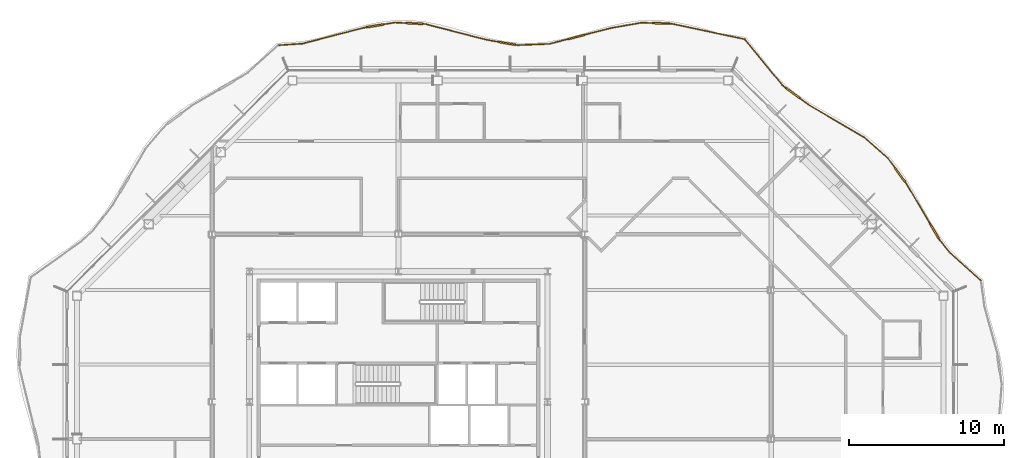
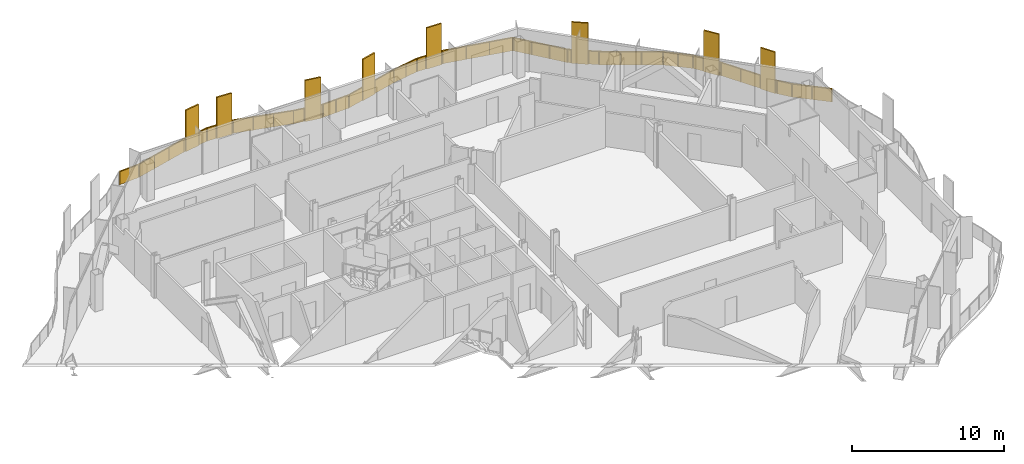
# One storey, part 19 of 19: 2 railings.
"""IFC4 building model written with IfcOpenShell, lengths in metres."""

from ifc_helpers import new_model, si_unit, direction, frame, origin, origin_2d, place, context, subcontext, project, spatial, polyline, rectangle, outline, extrude, material, type_object, element, save


model = new_model("IFC4")

# Units and contexts
model_context = context("Model", 3, precision=1e-05, world=origin(), true_north=direction((0.0, 1.0)))
body_context = subcontext(model_context, "Body", "Model", "MODEL_VIEW")
ifc_project = project(units=[si_unit("LENGTHUNIT", "METRE"), si_unit("AREAUNIT", "SQUARE_METRE"), si_unit("VOLUMEUNIT", "CUBIC_METRE"), si_unit("PLANEANGLEUNIT", "RADIAN"), si_unit("MASSUNIT", "GRAM", prefix="KILO")], contexts=[model_context])

# Site, building, storey
site_placement = place(None, origin())
site = spatial("IfcSite", under=ifc_project, at=site_placement, CompositionType="ELEMENT")
building_placement = place(site_placement, origin())
building = spatial("IfcBuilding", under=site, at=building_placement, Name="Cairn Pilgrim Tower", CompositionType="ELEMENT")
storey_placement = place(building_placement, frame((0.0, 0.0, 201.0)))
storey = spatial("IfcBuildingStorey", under=building, at=storey_placement, Name="L51", CompositionType="ELEMENT", Elevation=201.0)

# Railings
ifc_material = material(Name="Bronze anodised aluminium rail, posts and fin screens with laminated glass infill", Category="aluminium")
railing_type = type_object("IfcRailingType", Name="BALCONY GUARD WITH FIN SCREENS", PredefinedType="GUARDRAIL", material=ifc_material)
railing_1_placement = place(storey_placement, frame((44.707763671875, 10.208984375, 0.0)))
element("IfcRailing", 1, at=railing_1_placement, inside=storey, type_object=railing_type, Name="Balcony guard BGF-4 with fin screens", PredefinedType="GUARDRAIL", context=body_context, shape_type="SweptSolid", body=[
    extrude(rectangle(XDim=0.050048828125, YDim=0.050048828125, at=origin_2d()), frame((0.0, 0.0, 1.0751953125), z_axis=(-0.742527958489, 0.669815072138, 0.0), x_axis=(-0.669815072138, -0.742527958489, 0.0)), (0.0, 0.0, 1.0), 2.679443359375),
    extrude(rectangle(XDim=0.050048828125, YDim=0.050048828125, at=origin_2d()), frame((-1.989501953125, 1.794677734375, 1.0751953125), z_axis=(-0.631584660383, 0.775306917788, 0.0), x_axis=(-0.775306917788, -0.631584660383, 0.0)), (0.0, 0.0, 1.0), 1.04638671875),
    extrude(rectangle(XDim=1.10009765625, YDim=0.110107421875, at=origin_2d()), frame((-3.005859375, 3.208984375, 0.0), z_axis=(0.0, 0.0, 1.0), x_axis=(-0.507932070503, 0.861397127784, 0.0)), (0.0, 0.0, 1.0), 3.300048828125),
    extrude(rectangle(XDim=0.050048828125, YDim=0.050048828125, at=origin_2d()), frame((-2.650390625, 2.60595703125, 1.0751953125), z_axis=(-0.507932070503, 0.861397127784, 0.0), x_axis=(-0.861397127784, -0.507932070503, 0.0)), (0.0, 0.0, 1.0), 0.150146484375),
    extrude(rectangle(XDim=0.050048828125, YDim=0.050048828125, at=origin_2d()), frame((-3.285400390625, 3.6826171875, 1.0751953125), z_axis=(-0.507932070503, 0.861397127784, 0.0), x_axis=(-0.861397127784, -0.507932070503, 0.0)), (0.0, 0.0, 1.0), 2.96044921875),
    extrude(rectangle(XDim=1.10009765625, YDim=0.110107421875, at=origin_2d()), frame((-5.20068359375, 6.79931640625, 0.0), z_axis=(0.0, 0.0, 1.0), x_axis=(-0.587858294843, 0.808963920817, 0.0)), (0.0, 0.0, 1.0), 3.300048828125),
    extrude(rectangle(XDim=0.050048828125, YDim=0.050048828125, at=origin_2d()), frame((-4.7890625, 6.23291015625, 1.0751953125), z_axis=(-0.587858294843, 0.808963920817, 0.0), x_axis=(-0.808963920817, -0.587858294843, 0.0)), (0.0, 0.0, 1.0), 0.150146484375),
    extrude(rectangle(XDim=0.050048828125, YDim=0.050048828125, at=origin_2d()), frame((-5.52392578125, 7.244140625, 1.0751953125), z_axis=(-0.587858294843, 0.808963920817, 0.0), x_axis=(-0.808963920817, -0.587858294843, 0.0)), (0.0, 0.0, 1.0), 0.788330078125),
    extrude(rectangle(XDim=0.050048828125, YDim=0.050048828125, at=origin_2d()), frame((-5.9873046875, 7.8818359375, 1.0751953125), z_axis=(-0.748929293895, 0.662649917185, 0.0), x_axis=(-0.662649917185, -0.748929293895, 0.0)), (0.0, 0.0, 1.0), 2.009033203125),
    extrude(rectangle(XDim=0.050048828125, YDim=0.050048828125, at=origin_2d()), frame((-7.491943359375, 9.213134765625, 1.0751953125), z_axis=(-0.862706708707, 0.505704592378, 0.0), x_axis=(-0.505704592378, -0.862706708707, 0.0)), (0.0, 0.0, 1.0), 4.203125),
    extrude(rectangle(XDim=1.10009765625, YDim=0.110107421875, at=origin_2d()), frame((-12.1171875, 12.0859375, 0.0), z_axis=(0.0, 0.0, 1.0), x_axis=(-0.800870533458, 0.598837531087, 0.0)), (0.0, 0.0, 1.0), 3.300048828125),
    extrude(rectangle(XDim=0.050048828125, YDim=0.050048828125, at=origin_2d()), frame((-11.117919921875, 11.338623046875, 1.0751953125), z_axis=(-0.800870533458, 0.598837531087, 0.0), x_axis=(-0.598837531087, -0.800870533458, 0.0)), (0.0, 0.0, 1.0), 0.69775390625),
    extrude(rectangle(XDim=0.050048828125, YDim=0.050048828125, at=origin_2d()), frame((-12.5576171875, 12.415283203125, 1.0751953125), z_axis=(-0.800870533458, 0.598837531087, 0.0), x_axis=(-0.598837531087, -0.800870533458, 0.0)), (0.0, 0.0, 1.0), 0.28662109375),
    extrude(rectangle(XDim=0.050048828125, YDim=0.050048828125, at=origin_2d()), frame((-12.787353515625, 12.5869140625, 1.0751953125), z_axis=(-0.6329833694, 0.774165391931, 0.0), x_axis=(-0.774165391931, -0.6329833694, 0.0)), (0.0, 0.0, 1.0), 3.762939453125),
    extrude(rectangle(XDim=0.050048828125, YDim=0.050048828125, at=origin_2d()), origin(), (0.0, 0.0, 1.0), 1.050048828125),
    extrude(rectangle(XDim=0.050048828125, YDim=0.050048828125, at=origin_2d()), frame((-0.99462890625, 0.8974609375, 0.0)), (0.0, 0.0, 1.0), 1.050048828125),
    extrude(rectangle(XDim=0.050048828125, YDim=0.050048828125, at=origin_2d()), frame((-1.989501953125, 1.794677734375, 0.0)), (0.0, 0.0, 1.0), 1.050048828125),
    extrude(rectangle(XDim=0.050048828125, YDim=0.050048828125, at=origin_2d()), frame((-2.650390625, 2.60595703125, 0.0)), (0.0, 0.0, 1.0), 1.050048828125),
    extrude(rectangle(XDim=0.050048828125, YDim=0.050048828125, at=origin_2d()), frame((-2.7138671875, 2.713623046875, 0.0)), (0.0, 0.0, 1.0), 1.050048828125),
    extrude(rectangle(XDim=0.050048828125, YDim=0.050048828125, at=origin_2d()), frame((-3.298095703125, 3.704345703125, 0.0)), (0.0, 0.0, 1.0), 1.050048828125),
    extrude(rectangle(XDim=0.050048828125, YDim=0.050048828125, at=origin_2d()), frame((-4.04345703125, 4.968505859375, 0.0)), (0.0, 0.0, 1.0), 1.050048828125),
    extrude(rectangle(XDim=0.050048828125, YDim=0.050048828125, at=origin_2d()), frame((-4.7890625, 6.23291015625, 0.0)), (0.0, 0.0, 1.0), 1.050048828125),
    extrude(rectangle(XDim=0.050048828125, YDim=0.050048828125, at=origin_2d()), frame((-4.862548828125, 6.333984375, 0.0)), (0.0, 0.0, 1.0), 1.050048828125),
    extrude(rectangle(XDim=0.050048828125, YDim=0.050048828125, at=origin_2d()), frame((-5.53857421875, 7.264404296875, 0.0)), (0.0, 0.0, 1.0), 1.050048828125),
    extrude(rectangle(XDim=0.050048828125, YDim=0.050048828125, at=origin_2d()), frame((-5.9873046875, 7.8818359375, 0.0)), (0.0, 0.0, 1.0), 1.050048828125),
    extrude(rectangle(XDim=0.050048828125, YDim=0.050048828125, at=origin_2d()), frame((-6.73974609375, 8.54736328125, 0.0)), (0.0, 0.0, 1.0), 1.050048828125),
    extrude(rectangle(XDim=0.050048828125, YDim=0.050048828125, at=origin_2d()), frame((-7.491943359375, 9.213134765625, 0.0)), (0.0, 0.0, 1.0), 1.050048828125),
    extrude(rectangle(XDim=0.050048828125, YDim=0.050048828125, at=origin_2d()), frame((-8.70068359375, 9.921630859375, 0.0)), (0.0, 0.0, 1.0), 1.050048828125),
    extrude(rectangle(XDim=0.050048828125, YDim=0.050048828125, at=origin_2d()), frame((-9.9091796875, 10.630126953125, 0.0)), (0.0, 0.0, 1.0), 1.050048828125),
    extrude(rectangle(XDim=0.050048828125, YDim=0.050048828125, at=origin_2d()), frame((-11.117919921875, 11.338623046875, 0.0)), (0.0, 0.0, 1.0), 1.050048828125),
    extrude(rectangle(XDim=0.050048828125, YDim=0.050048828125, at=origin_2d()), frame((-11.65673828125, 11.741455078125, 0.0)), (0.0, 0.0, 1.0), 1.050048828125),
    extrude(rectangle(XDim=0.050048828125, YDim=0.050048828125, at=origin_2d()), frame((-12.577880859375, 12.43017578125, 0.0)), (0.0, 0.0, 1.0), 1.050048828125),
    extrude(rectangle(XDim=0.050048828125, YDim=0.050048828125, at=origin_2d()), frame((-12.787353515625, 12.5869140625, 0.0)), (0.0, 0.0, 1.0), 1.050048828125),
    extrude(rectangle(XDim=0.050048828125, YDim=0.050048828125, at=origin_2d()), frame((-13.581298828125, 13.557861328125, 0.0)), (0.0, 0.0, 1.0), 1.050048828125),
    extrude(rectangle(XDim=0.050048828125, YDim=0.050048828125, at=origin_2d()), frame((-14.375244140625, 14.529052734375, 0.0)), (0.0, 0.0, 1.0), 1.050048828125),
    extrude(rectangle(XDim=0.050048828125, YDim=0.050048828125, at=origin_2d()), frame((-15.169189453125, 15.5, 0.0)), (0.0, 0.0, 1.0), 1.050048828125),
    extrude(outline(polyline([(0.02490234375, 0.0), (1.314697265625, 0.0), (1.314697265625, 1.050048828125), (0.02490234375, 1.050048828125), (0.02490234375, 0.0)])), frame((-0.00390625, -0.00439453125, 0.0), z_axis=(0.669815072138, 0.742527958489, 0.0), x_axis=(-0.742527958489, 0.669815072138, 0.0)), (0.0, 0.0, 1.0), 0.011962890625),
    extrude(outline(polyline([(0.02490234375, 0.0), (1.314697265625, 0.0), (1.314697265625, 1.050048828125), (0.02490234375, 1.050048828125), (0.02490234375, 0.0)])), frame((-0.998779296875, 0.892822265625, 0.0), z_axis=(0.669815072138, 0.742527958489, 0.0), x_axis=(-0.742527958489, 0.669815072138, 0.0)), (0.0, 0.0, 1.0), 0.011962890625),
    extrude(outline(polyline([(0.02490234375, 0.0), (1.021484375, 0.0), (1.021484375, 1.050048828125), (0.02490234375, 1.050048828125), (0.02490234375, 0.0)])), frame((-1.994140625, 1.791015625, 0.0), z_axis=(0.775306917788, 0.631584660383, 0.0), x_axis=(-0.631584660383, 0.775306917788, 0.0)), (0.0, 0.0, 1.0), 0.011962890625),
    extrude(outline(polyline([(0.02490234375, 0.0), (0.10009765625, 0.0), (0.10009765625, 1.050048828125), (0.02490234375, 1.050048828125), (0.02490234375, 0.0)])), frame((-2.655517578125, 2.60302734375, 0.0), z_axis=(0.861397127784, 0.507932070503, 0.0), x_axis=(-0.507932070503, 0.861397127784, 0.0)), (0.0, 0.0, 1.0), 0.011962890625),
    extrude(outline(polyline([(0.02490234375, 0.0), (1.442626953125, 0.0), (1.442626953125, 1.050048828125), (0.02490234375, 1.050048828125), (0.02490234375, 0.0)])), frame((-3.30322265625, 3.701171875, 0.0), z_axis=(0.861397127784, 0.507932070503, 0.0), x_axis=(-0.507932070503, 0.861397127784, 0.0)), (0.0, 0.0, 1.0), 0.011962890625),
    extrude(outline(polyline([(0.02490234375, 0.0), (1.442626953125, 0.0), (1.442626953125, 1.050048828125), (0.02490234375, 1.050048828125), (0.02490234375, 0.0)])), frame((-4.048583984375, 4.965576171875, 0.0), z_axis=(0.861397127784, 0.507932070503, 0.0), x_axis=(-0.507932070503, 0.861397127784, 0.0)), (0.0, 0.0, 1.0), 0.011962890625),
    extrude(outline(polyline([(0.02490234375, 0.0), (0.10009765625, 0.0), (0.10009765625, 1.050048828125), (0.02490234375, 1.050048828125), (0.02490234375, 0.0)])), frame((-4.7939453125, 6.2294921875, 0.0), z_axis=(0.808963920817, 0.587858294843, 0.0), x_axis=(-0.587858294843, 0.808963920817, 0.0)), (0.0, 0.0, 1.0), 0.011962890625),
    extrude(outline(polyline([(0.02490234375, 0.0), (0.73828125, 0.0), (0.73828125, 1.050048828125), (0.02490234375, 1.050048828125), (0.02490234375, 0.0)])), frame((-5.54345703125, 7.260986328125, 0.0), z_axis=(0.808963920817, 0.587858294843, 0.0), x_axis=(-0.587858294843, 0.808963920817, 0.0)), (0.0, 0.0, 1.0), 0.011962890625),
    extrude(outline(polyline([(0.02490234375, 0.0), (0.9794921875, 0.0), (0.9794921875, 1.050048828125), (0.02490234375, 1.050048828125), (0.02490234375, 0.0)])), frame((-5.9912109375, 7.87744140625, 0.0), z_axis=(0.662649917185, 0.748929293895, 0.0), x_axis=(-0.748929293895, 0.662649917185, 0.0)), (0.0, 0.0, 1.0), 0.011962890625),
    extrude(outline(polyline([(0.02490234375, 0.0), (0.9794921875, 0.0), (0.9794921875, 1.050048828125), (0.02490234375, 1.050048828125), (0.02490234375, 0.0)])), frame((-6.74365234375, 8.54296875, 0.0), z_axis=(0.662649917185, 0.748929293895, 0.0), x_axis=(-0.748929293895, 0.662649917185, 0.0)), (0.0, 0.0, 1.0), 0.011962890625),
    extrude(outline(polyline([(0.02490234375, 0.0), (1.3759765625, 0.0), (1.3759765625, 1.050048828125), (0.02490234375, 1.050048828125), (0.02490234375, 0.0)])), frame((-7.494873046875, 9.2080078125, 0.0), z_axis=(0.505704592378, 0.862706708707, 0.0), x_axis=(-0.862706708707, 0.505704592378, 0.0)), (0.0, 0.0, 1.0), 0.011962890625),
    extrude(outline(polyline([(0.02490234375, 0.0), (1.3759765625, 0.0), (1.3759765625, 1.050048828125), (0.02490234375, 1.050048828125), (0.02490234375, 0.0)])), frame((-8.70361328125, 9.91650390625, 0.0), z_axis=(0.505704592378, 0.862706708707, 0.0), x_axis=(-0.862706708707, 0.505704592378, 0.0)), (0.0, 0.0, 1.0), 0.011962890625),
    extrude(outline(polyline([(0.02490234375, 0.0), (1.3759765625, 0.0), (1.3759765625, 1.050048828125), (0.02490234375, 1.050048828125), (0.02490234375, 0.0)])), frame((-9.912353515625, 10.625, 0.0), z_axis=(0.505704592378, 0.862706708707, 0.0), x_axis=(-0.862706708707, 0.505704592378, 0.0)), (0.0, 0.0, 1.0), 0.011962890625),
    extrude(outline(polyline([(0.02490234375, 0.0), (0.647705078125, 0.0), (0.647705078125, 1.050048828125), (0.02490234375, 1.050048828125), (0.02490234375, 0.0)])), frame((-11.12158203125, 11.333740234375, 0.0), z_axis=(0.598837531087, 0.800870533458, 0.0), x_axis=(-0.800870533458, 0.598837531087, 0.0)), (0.0, 0.0, 1.0), 0.011962890625),
    extrude(outline(polyline([(0.02490234375, 0.0), (0.236572265625, 0.0), (0.236572265625, 1.050048828125), (0.02490234375, 1.050048828125), (0.02490234375, 0.0)])), frame((-12.581298828125, 12.42529296875, 0.0), z_axis=(0.598837531087, 0.800870533458, 0.0), x_axis=(-0.800870533458, 0.598837531087, 0.0)), (0.0, 0.0, 1.0), 0.011962890625),
    extrude(outline(polyline([(0.02490234375, 0.0), (1.229248046875, 0.0), (1.229248046875, 1.050048828125), (0.02490234375, 1.050048828125), (0.02490234375, 0.0)])), frame((-12.7919921875, 12.5830078125, 0.0), z_axis=(0.774165391931, 0.6329833694, 0.0), x_axis=(-0.6329833694, 0.774165391931, 0.0)), (0.0, 0.0, 1.0), 0.011962890625),
    extrude(outline(polyline([(0.02490234375, 0.0), (1.229248046875, 0.0), (1.229248046875, 1.050048828125), (0.02490234375, 1.050048828125), (0.02490234375, 0.0)])), frame((-13.5859375, 13.55419921875, 0.0), z_axis=(0.774165391931, 0.6329833694, 0.0), x_axis=(-0.6329833694, 0.774165391931, 0.0)), (0.0, 0.0, 1.0), 0.011962890625),
    extrude(outline(polyline([(0.02490234375, 0.0), (1.229248046875, 0.0), (1.229248046875, 1.050048828125), (0.02490234375, 1.050048828125), (0.02490234375, 0.0)])), frame((-14.3798828125, 14.525146484375, 0.0), z_axis=(0.774165391931, 0.6329833694, 0.0), x_axis=(-0.6329833694, 0.774165391931, 0.0)), (0.0, 0.0, 1.0), 0.011962890625),
])
railing_2_placement = place(storey_placement, frame((29.50048828125, 25.75537109375, 0.0)))
element("IfcRailing", 2, at=railing_2_placement, inside=storey, type_object=railing_type, Name="Balcony guard BGF-5 with fin screens", PredefinedType="GUARDRAIL", context=body_context, shape_type="SweptSolid", body=[
    extrude(rectangle(XDim=0.050048828125, YDim=0.050048828125, at=origin_2d()), frame((0.0, 0.0, 1.0751953125), z_axis=(-0.978036435887, 0.208433994533, 0.0), x_axis=(-0.208433994533, -0.978036435887, 0.0)), (0.0, 0.0, 1.0), 4.796630859375),
    extrude(rectangle(XDim=1.10009765625, YDim=0.110107421875, at=origin_2d()), frame((-5.396484375, 1.02392578125, 0.0), z_axis=(0.0, 0.0, 1.0), x_axis=(-0.999412347841, 0.034277674689, 0.0)), (0.0, 0.0, 1.0), 3.300048828125),
    extrude(rectangle(XDim=0.050048828125, YDim=0.050048828125, at=origin_2d()), frame((-4.691162109375, 0.999755859375, 1.0751953125), z_axis=(-0.999412347841, 0.034277674689, 0.0), x_axis=(-0.034277674689, -0.999412347841, 0.0)), (0.0, 0.0, 1.0), 0.15576171875),
    extrude(rectangle(XDim=0.050048828125, YDim=0.050048828125, at=origin_2d()), frame((-5.9462890625, 1.042724609375, 1.0751953125), z_axis=(-0.999412347841, 0.034277674689, 0.0), x_axis=(-0.034277674689, -0.999412347841, 0.0)), (0.0, 0.0, 1.0), 0.702880859375),
    extrude(rectangle(XDim=0.050048828125, YDim=0.050048828125, at=origin_2d()), frame((-6.648681640625, 1.06689453125, 1.0751953125), z_axis=(-0.984851240373, -0.173401367745, 0.0), x_axis=(0.173401367745, -0.984851240373, 0.0)), (0.0, 0.0, 1.0), 1.9951171875),
    extrude(rectangle(XDim=1.10009765625, YDim=0.110107421875, at=origin_2d()), frame((-10.852783203125, 0.146240234375, 0.0), z_axis=(0.0, 0.0, 1.0), x_axis=(-0.968596791298, -0.248636795118, 0.0)), (0.0, 0.0, 1.0), 3.300048828125),
    extrude(rectangle(XDim=0.050048828125, YDim=0.050048828125, at=origin_2d()), frame((-8.613525390625, 0.720947265625, 1.0751953125), z_axis=(-0.968596791298, -0.248636795118, 0.0), x_axis=(0.248636795118, -0.968596791298, 0.0)), (0.0, 0.0, 1.0), 1.761962890625),
    extrude(rectangle(XDim=0.050048828125, YDim=0.050048828125, at=origin_2d()), frame((-11.385498046875, 0.00927734375, 1.0751953125), z_axis=(-0.968596791298, -0.248636795118, 0.0), x_axis=(0.248636795118, -0.968596791298, 0.0)), (0.0, 0.0, 1.0), 1.24951171875),
    extrude(rectangle(XDim=0.050048828125, YDim=0.050048828125, at=origin_2d()), frame((-12.595703125, -0.30126953125, 1.0751953125), z_axis=(-0.999184656273, -0.04037353922, 0.0), x_axis=(0.04037353922, -0.999184656273, 0.0)), (0.0, 0.0, 1.0), 2.019775390625),
    extrude(rectangle(XDim=1.10009765625, YDim=0.110107421875, at=origin_2d()), frame((-15.3037109375, -0.264892578125, 0.0), z_axis=(0.0, 0.0, 1.0), x_axis=(-0.985678657546, 0.16863446877, 0.0)), (0.0, 0.0, 1.0), 3.300048828125),
    extrude(rectangle(XDim=0.050048828125, YDim=0.050048828125, at=origin_2d()), frame((-14.61376953125, -0.3828125, 1.0751953125), z_axis=(-0.985678657546, 0.16863446877, 0.0), x_axis=(-0.16863446877, -0.985678657546, 0.0)), (0.0, 0.0, 1.0), 0.14990234375),
    extrude(rectangle(XDim=0.050048828125, YDim=0.050048828125, at=origin_2d()), frame((-15.845703125, -0.172119140625, 1.0751953125), z_axis=(-0.985678657546, 0.16863446877, 0.0), x_axis=(-0.16863446877, -0.985678657546, 0.0)), (0.0, 0.0, 1.0), 0.787109375),
    extrude(rectangle(XDim=0.050048828125, YDim=0.050048828125, at=origin_2d()), frame((-16.62158203125, -0.039306640625, 1.0751953125), z_axis=(-0.968268943839, 0.24991048877, 0.0), x_axis=(-0.24991048877, -0.968268943839, 0.0)), (0.0, 0.0, 1.0), 4.09326171875),
    extrude(rectangle(XDim=1.10009765625, YDim=0.110107421875, at=origin_2d()), frame((-21.284423828125, 1.016357421875, 0.0), z_axis=(0.0, 0.0, 1.0), x_axis=(-0.998910910372, 0.046658259083, 0.0)), (0.0, 0.0, 1.0), 3.300048828125),
    extrude(rectangle(XDim=0.050048828125, YDim=0.050048828125, at=origin_2d()), frame((-20.5849609375, 0.983642578125, 1.0751953125), z_axis=(-0.998910910372, 0.046658259083, 0.0), x_axis=(-0.046658259083, -0.998910910372, 0.0)), (0.0, 0.0, 1.0), 0.150146484375),
    extrude(rectangle(XDim=0.050048828125, YDim=0.050048828125, at=origin_2d()), frame((-21.833740234375, 1.0419921875, 1.0751953125), z_axis=(-0.998910910372, 0.046658259083, 0.0), x_axis=(-0.046658259083, -0.998910910372, 0.0)), (0.0, 0.0, 1.0), 0.706787109375),
    extrude(rectangle(XDim=1.10009765625, YDim=0.110107421875, at=origin_2d()), frame((-23.813232421875, 0.863525390625, 0.0), z_axis=(0.0, 0.0, 1.0), x_axis=(-0.986489864008, -0.163822306813, 0.0)), (0.0, 0.0, 1.0), 3.300048828125),
    extrude(rectangle(XDim=0.050048828125, YDim=0.050048828125, at=origin_2d()), frame((-22.539794921875, 1.074951171875, 1.0751953125), z_axis=(-0.986489864008, -0.163822306813, 0.0), x_axis=(0.163822306813, -0.986489864008, 0.0)), (0.0, 0.0, 1.0), 0.740966796875),
    extrude(rectangle(XDim=0.050048828125, YDim=0.050048828125, at=origin_2d()), frame((-24.35595703125, 0.7734375, 1.0751953125), z_axis=(-0.986489864008, -0.163822306813, 0.0), x_axis=(0.163822306813, -0.986489864008, 0.0)), (0.0, 0.0, 1.0), 0.150146484375),
    extrude(rectangle(XDim=0.050048828125, YDim=0.050048828125, at=origin_2d()), frame((-24.50390625, 0.748779296875, 1.0751953125), z_axis=(-0.967952536181, -0.251133207086, 0.0), x_axis=(0.251133207086, -0.967952536181, 0.0)), (0.0, 0.0, 1.0), 4.111328125),
    extrude(rectangle(XDim=0.050048828125, YDim=0.050048828125, at=origin_2d()), frame((-28.4833984375, -0.28369140625, 1.0751953125), z_axis=(-0.997800716322, -0.066285220885, 0.0), x_axis=(0.066285220885, -0.997800716322, 0.0)), (0.0, 0.0, 1.0), 1.52490234375),
    extrude(rectangle(XDim=0.050048828125, YDim=0.050048828125, at=origin_2d()), origin(), (0.0, 0.0, 1.0), 1.050048828125),
    extrude(rectangle(XDim=0.050048828125, YDim=0.050048828125, at=origin_2d()), frame((-1.563720703125, 0.333251953125, 0.0)), (0.0, 0.0, 1.0), 1.050048828125),
    extrude(rectangle(XDim=0.050048828125, YDim=0.050048828125, at=origin_2d()), frame((-3.12744140625, 0.66650390625, 0.0)), (0.0, 0.0, 1.0), 1.050048828125),
    extrude(rectangle(XDim=0.050048828125, YDim=0.050048828125, at=origin_2d()), frame((-4.691162109375, 0.999755859375, 0.0)), (0.0, 0.0, 1.0), 1.050048828125),
    extrude(rectangle(XDim=0.050048828125, YDim=0.050048828125, at=origin_2d()), frame((-4.82177734375, 1.004150390625, 0.0)), (0.0, 0.0, 1.0), 1.050048828125),
    extrude(rectangle(XDim=0.050048828125, YDim=0.050048828125, at=origin_2d()), frame((-5.97119140625, 1.043701171875, 0.0)), (0.0, 0.0, 1.0), 1.050048828125),
    extrude(rectangle(XDim=0.050048828125, YDim=0.050048828125, at=origin_2d()), frame((-6.648681640625, 1.06689453125, 0.0)), (0.0, 0.0, 1.0), 1.050048828125),
    extrude(rectangle(XDim=0.050048828125, YDim=0.050048828125, at=origin_2d()), frame((-7.631103515625, 0.89404296875, 0.0)), (0.0, 0.0, 1.0), 1.050048828125),
    extrude(rectangle(XDim=0.050048828125, YDim=0.050048828125, at=origin_2d()), frame((-8.613525390625, 0.720947265625, 0.0)), (0.0, 0.0, 1.0), 1.050048828125),
    extrude(rectangle(XDim=0.050048828125, YDim=0.050048828125, at=origin_2d()), frame((-10.2958984375, 0.2890625, 0.0)), (0.0, 0.0, 1.0), 1.050048828125),
    extrude(rectangle(XDim=0.050048828125, YDim=0.050048828125, at=origin_2d()), frame((-11.40966796875, 0.003173828125, 0.0)), (0.0, 0.0, 1.0), 1.050048828125),
    extrude(rectangle(XDim=0.050048828125, YDim=0.050048828125, at=origin_2d()), frame((-12.595703125, -0.30126953125, 0.0)), (0.0, 0.0, 1.0), 1.050048828125),
    extrude(rectangle(XDim=0.050048828125, YDim=0.050048828125, at=origin_2d()), frame((-13.604736328125, -0.342041015625, 0.0)), (0.0, 0.0, 1.0), 1.050048828125),
    extrude(rectangle(XDim=0.050048828125, YDim=0.050048828125, at=origin_2d()), frame((-14.61376953125, -0.3828125, 0.0)), (0.0, 0.0, 1.0), 1.050048828125),
    extrude(rectangle(XDim=0.050048828125, YDim=0.050048828125, at=origin_2d()), frame((-14.73681640625, -0.36181640625, 0.0)), (0.0, 0.0, 1.0), 1.050048828125),
    extrude(rectangle(XDim=0.050048828125, YDim=0.050048828125, at=origin_2d()), frame((-15.87060546875, -0.167724609375, 0.0)), (0.0, 0.0, 1.0), 1.050048828125),
    extrude(rectangle(XDim=0.050048828125, YDim=0.050048828125, at=origin_2d()), frame((-16.62158203125, -0.039306640625, 0.0)), (0.0, 0.0, 1.0), 1.050048828125),
    extrude(rectangle(XDim=0.050048828125, YDim=0.050048828125, at=origin_2d()), frame((-17.942626953125, 0.3017578125, 0.0)), (0.0, 0.0, 1.0), 1.050048828125),
    extrude(rectangle(XDim=0.050048828125, YDim=0.050048828125, at=origin_2d()), frame((-19.263916015625, 0.642578125, 0.0)), (0.0, 0.0, 1.0), 1.050048828125),
    extrude(rectangle(XDim=0.050048828125, YDim=0.050048828125, at=origin_2d()), frame((-20.5849609375, 0.983642578125, 0.0)), (0.0, 0.0, 1.0), 1.050048828125),
    extrude(rectangle(XDim=0.050048828125, YDim=0.050048828125, at=origin_2d()), frame((-20.7099609375, 0.989501953125, 0.0)), (0.0, 0.0, 1.0), 1.050048828125),
    extrude(rectangle(XDim=0.050048828125, YDim=0.050048828125, at=origin_2d()), frame((-21.858642578125, 1.043212890625, 0.0)), (0.0, 0.0, 1.0), 1.050048828125),
    extrude(rectangle(XDim=0.050048828125, YDim=0.050048828125, at=origin_2d()), frame((-22.539794921875, 1.074951171875, 0.0)), (0.0, 0.0, 1.0), 1.050048828125),
    extrude(rectangle(XDim=0.050048828125, YDim=0.050048828125, at=origin_2d()), frame((-23.24609375, 0.957763671875, 0.0)), (0.0, 0.0, 1.0), 1.050048828125),
    extrude(rectangle(XDim=0.050048828125, YDim=0.050048828125, at=origin_2d()), frame((-24.380615234375, 0.769287109375, 0.0)), (0.0, 0.0, 1.0), 1.050048828125),
    extrude(rectangle(XDim=0.050048828125, YDim=0.050048828125, at=origin_2d()), frame((-24.50390625, 0.748779296875, 0.0)), (0.0, 0.0, 1.0), 1.050048828125),
    extrude(rectangle(XDim=0.050048828125, YDim=0.050048828125, at=origin_2d()), frame((-25.830322265625, 0.404541015625, 0.0)), (0.0, 0.0, 1.0), 1.050048828125),
    extrude(rectangle(XDim=0.050048828125, YDim=0.050048828125, at=origin_2d()), frame((-27.156982421875, 0.060546875, 0.0)), (0.0, 0.0, 1.0), 1.050048828125),
    extrude(rectangle(XDim=0.050048828125, YDim=0.050048828125, at=origin_2d()), frame((-28.4833984375, -0.28369140625, 0.0)), (0.0, 0.0, 1.0), 1.050048828125),
    extrude(rectangle(XDim=0.050048828125, YDim=0.050048828125, at=origin_2d()), frame((-30.0048828125, -0.384765625, 0.0)), (0.0, 0.0, 1.0), 1.050048828125),
    extrude(outline(polyline([(0.02490234375, 0.0), (1.57373046875, 0.0), (1.57373046875, 1.050048828125), (0.02490234375, 1.050048828125), (0.02490234375, 0.0)])), frame((-0.001220703125, -0.005859375, 0.0), z_axis=(0.208433994533, 0.978036435887, 0.0), x_axis=(-0.978036435887, 0.208433994533, 0.0)), (0.0, 0.0, 1.0), 0.011962890625),
    extrude(outline(polyline([(0.02490234375, 0.0), (1.57373046875, 0.0), (1.57373046875, 1.050048828125), (0.02490234375, 1.050048828125), (0.02490234375, 0.0)])), frame((-1.56494140625, 0.327392578125, 0.0), z_axis=(0.208433994533, 0.978036435887, 0.0), x_axis=(-0.978036435887, 0.208433994533, 0.0)), (0.0, 0.0, 1.0), 0.011962890625),
    extrude(outline(polyline([(0.02490234375, 0.0), (1.57373046875, 0.0), (1.57373046875, 1.050048828125), (0.02490234375, 1.050048828125), (0.02490234375, 0.0)])), frame((-3.128662109375, 0.66064453125, 0.0), z_axis=(0.208433994533, 0.978036435887, 0.0), x_axis=(-0.978036435887, 0.208433994533, 0.0)), (0.0, 0.0, 1.0), 0.011962890625),
    extrude(outline(polyline([(0.02490234375, 0.0), (0.105712890625, 0.0), (0.105712890625, 1.050048828125), (0.02490234375, 1.050048828125), (0.02490234375, 0.0)])), frame((-4.69140625, 0.993896484375, 0.0), z_axis=(0.034277674689, 0.999412347841, 0.0), x_axis=(-0.999412347841, 0.034277674689, 0.0)), (0.0, 0.0, 1.0), 0.011962890625),
    extrude(outline(polyline([(0.02490234375, 0.0), (0.65283203125, 0.0), (0.65283203125, 1.050048828125), (0.02490234375, 1.050048828125), (0.02490234375, 0.0)])), frame((-5.971435546875, 1.03759765625, 0.0), z_axis=(0.034277674689, 0.999412347841, 0.0), x_axis=(-0.999412347841, 0.034277674689, 0.0)), (0.0, 0.0, 1.0), 0.011962890625),
    extrude(outline(polyline([(0.02490234375, 0.0), (0.972412109375, 0.0), (0.972412109375, 1.050048828125), (0.02490234375, 1.050048828125), (0.02490234375, 0.0)])), frame((-6.647705078125, 1.06103515625, 0.0), z_axis=(-0.173401367745, 0.984851240373, 0.0), x_axis=(-0.984851240373, -0.173401367745, 0.0)), (0.0, 0.0, 1.0), 0.011962890625),
    extrude(outline(polyline([(0.02490234375, 0.0), (0.972412109375, 0.0), (0.972412109375, 1.050048828125), (0.02490234375, 1.050048828125), (0.02490234375, 0.0)])), frame((-7.630126953125, 0.887939453125, 0.0), z_axis=(-0.173401367745, 0.984851240373, 0.0), x_axis=(-0.984851240373, -0.173401367745, 0.0)), (0.0, 0.0, 1.0), 0.011962890625),
    extrude(outline(polyline([(0.02490234375, 0.0), (1.7119140625, 0.0), (1.7119140625, 1.050048828125), (0.02490234375, 1.050048828125), (0.02490234375, 0.0)])), frame((-8.612060546875, 0.715087890625, 0.0), z_axis=(-0.248636795118, 0.968596791298, 0.0), x_axis=(-0.968596791298, -0.248636795118, 0.0)), (0.0, 0.0, 1.0), 0.011962890625),
    extrude(outline(polyline([(0.02490234375, 0.0), (1.199462890625, 0.0), (1.199462890625, 1.050048828125), (0.02490234375, 1.050048828125), (0.02490234375, 0.0)])), frame((-11.408203125, -0.002685546875, 0.0), z_axis=(-0.248636795118, 0.968596791298, 0.0), x_axis=(-0.968596791298, -0.248636795118, 0.0)), (0.0, 0.0, 1.0), 0.011962890625),
    extrude(outline(polyline([(0.02490234375, 0.0), (0.98486328125, 0.0), (0.98486328125, 1.050048828125), (0.02490234375, 1.050048828125), (0.02490234375, 0.0)])), frame((-12.595458984375, -0.30712890625, 0.0), z_axis=(-0.04037353922, 0.999184656273, 0.0), x_axis=(-0.999184656273, -0.04037353922, 0.0)), (0.0, 0.0, 1.0), 0.011962890625),
    extrude(outline(polyline([(0.02490234375, 0.0), (0.98486328125, 0.0), (0.98486328125, 1.050048828125), (0.02490234375, 1.050048828125), (0.02490234375, 0.0)])), frame((-13.6044921875, -0.347900390625, 0.0), z_axis=(-0.04037353922, 0.999184656273, 0.0), x_axis=(-0.999184656273, -0.04037353922, 0.0)), (0.0, 0.0, 1.0), 0.011962890625),
    extrude(outline(polyline([(0.02490234375, 0.0), (0.099853515625, 0.0), (0.099853515625, 1.050048828125), (0.02490234375, 1.050048828125), (0.02490234375, 0.0)])), frame((-14.61474609375, -0.388671875, 0.0), z_axis=(0.16863446877, 0.985678657546, 0.0), x_axis=(-0.985678657546, 0.16863446877, 0.0)), (0.0, 0.0, 1.0), 0.011962890625),
    extrude(outline(polyline([(0.02490234375, 0.0), (0.737060546875, 0.0), (0.737060546875, 1.050048828125), (0.02490234375, 1.050048828125), (0.02490234375, 0.0)])), frame((-15.87158203125, -0.173583984375, 0.0), z_axis=(0.16863446877, 0.985678657546, 0.0), x_axis=(-0.985678657546, 0.16863446877, 0.0)), (0.0, 0.0, 1.0), 0.011962890625),
    extrude(outline(polyline([(0.02490234375, 0.0), (1.33935546875, 0.0), (1.33935546875, 1.050048828125), (0.02490234375, 1.050048828125), (0.02490234375, 0.0)])), frame((-16.623046875, -0.045166015625, 0.0), z_axis=(0.24991048877, 0.968268943839, 0.0), x_axis=(-0.968268943839, 0.24991048877, 0.0)), (0.0, 0.0, 1.0), 0.011962890625),
    extrude(outline(polyline([(0.02490234375, 0.0), (1.33935546875, 0.0), (1.33935546875, 1.050048828125), (0.02490234375, 1.050048828125), (0.02490234375, 0.0)])), frame((-17.944091796875, 0.2958984375, 0.0), z_axis=(0.24991048877, 0.968268943839, 0.0), x_axis=(-0.968268943839, 0.24991048877, 0.0)), (0.0, 0.0, 1.0), 0.011962890625),
    extrude(outline(polyline([(0.02490234375, 0.0), (1.33935546875, 0.0), (1.33935546875, 1.050048828125), (0.02490234375, 1.050048828125), (0.02490234375, 0.0)])), frame((-19.265380859375, 0.636962890625, 0.0), z_axis=(0.24991048877, 0.968268943839, 0.0), x_axis=(-0.968268943839, 0.24991048877, 0.0)), (0.0, 0.0, 1.0), 0.011962890625),
    extrude(outline(polyline([(0.02490234375, 0.0), (0.10009765625, 0.0), (0.10009765625, 1.050048828125), (0.02490234375, 1.050048828125), (0.02490234375, 0.0)])), frame((-20.585205078125, 0.977783203125, 0.0), z_axis=(0.046658259083, 0.998910910372, 0.0), x_axis=(-0.998910910372, 0.046658259083, 0.0)), (0.0, 0.0, 1.0), 0.011962890625),
    extrude(outline(polyline([(0.02490234375, 0.0), (0.65673828125, 0.0), (0.65673828125, 1.050048828125), (0.02490234375, 1.050048828125), (0.02490234375, 0.0)])), frame((-21.85888671875, 1.037109375, 0.0), z_axis=(0.046658259083, 0.998910910372, 0.0), x_axis=(-0.998910910372, 0.046658259083, 0.0)), (0.0, 0.0, 1.0), 0.011962890625),
    extrude(outline(polyline([(0.02490234375, 0.0), (0.69091796875, 0.0), (0.69091796875, 1.050048828125), (0.02490234375, 1.050048828125), (0.02490234375, 0.0)])), frame((-22.538818359375, 1.069091796875, 0.0), z_axis=(-0.163822306813, 0.986489864008, 0.0), x_axis=(-0.986489864008, -0.163822306813, 0.0)), (0.0, 0.0, 1.0), 0.011962890625),
    extrude(outline(polyline([(0.02490234375, 0.0), (0.10009765625, 0.0), (0.10009765625, 1.050048828125), (0.02490234375, 1.050048828125), (0.02490234375, 0.0)])), frame((-24.379638671875, 0.763427734375, 0.0), z_axis=(-0.163822306813, 0.986489864008, 0.0), x_axis=(-0.986489864008, -0.163822306813, 0.0)), (0.0, 0.0, 1.0), 0.011962890625),
    extrude(outline(polyline([(0.02490234375, 0.0), (1.345458984375, 0.0), (1.345458984375, 1.050048828125), (0.02490234375, 1.050048828125), (0.02490234375, 0.0)])), frame((-24.50244140625, 0.742919921875, 0.0), z_axis=(-0.251133207086, 0.967952536181, 0.0), x_axis=(-0.967952536181, -0.251133207086, 0.0)), (0.0, 0.0, 1.0), 0.011962890625),
    extrude(outline(polyline([(0.02490234375, 0.0), (1.345458984375, 0.0), (1.345458984375, 1.050048828125), (0.02490234375, 1.050048828125), (0.02490234375, 0.0)])), frame((-25.828857421875, 0.39892578125, 0.0), z_axis=(-0.251133207086, 0.967952536181, 0.0), x_axis=(-0.967952536181, -0.251133207086, 0.0)), (0.0, 0.0, 1.0), 0.011962890625),
    extrude(outline(polyline([(0.02490234375, 0.0), (1.345458984375, 0.0), (1.345458984375, 1.050048828125), (0.02490234375, 1.050048828125), (0.02490234375, 0.0)])), frame((-27.155517578125, 0.0546875, 0.0), z_axis=(-0.251133207086, 0.967952536181, 0.0), x_axis=(-0.967952536181, -0.251133207086, 0.0)), (0.0, 0.0, 1.0), 0.011962890625),
    extrude(outline(polyline([(0.02490234375, 0.0), (1.499755859375, 0.0), (1.499755859375, 1.050048828125), (0.02490234375, 1.050048828125), (0.02490234375, 0.0)])), frame((-28.48291015625, -0.28955078125, 0.0), z_axis=(-0.066285220885, 0.997800716322, 0.0), x_axis=(-0.997800716322, -0.066285220885, 0.0)), (0.0, 0.0, 1.0), 0.011962890625),
])

save(model, "model.ifc")
